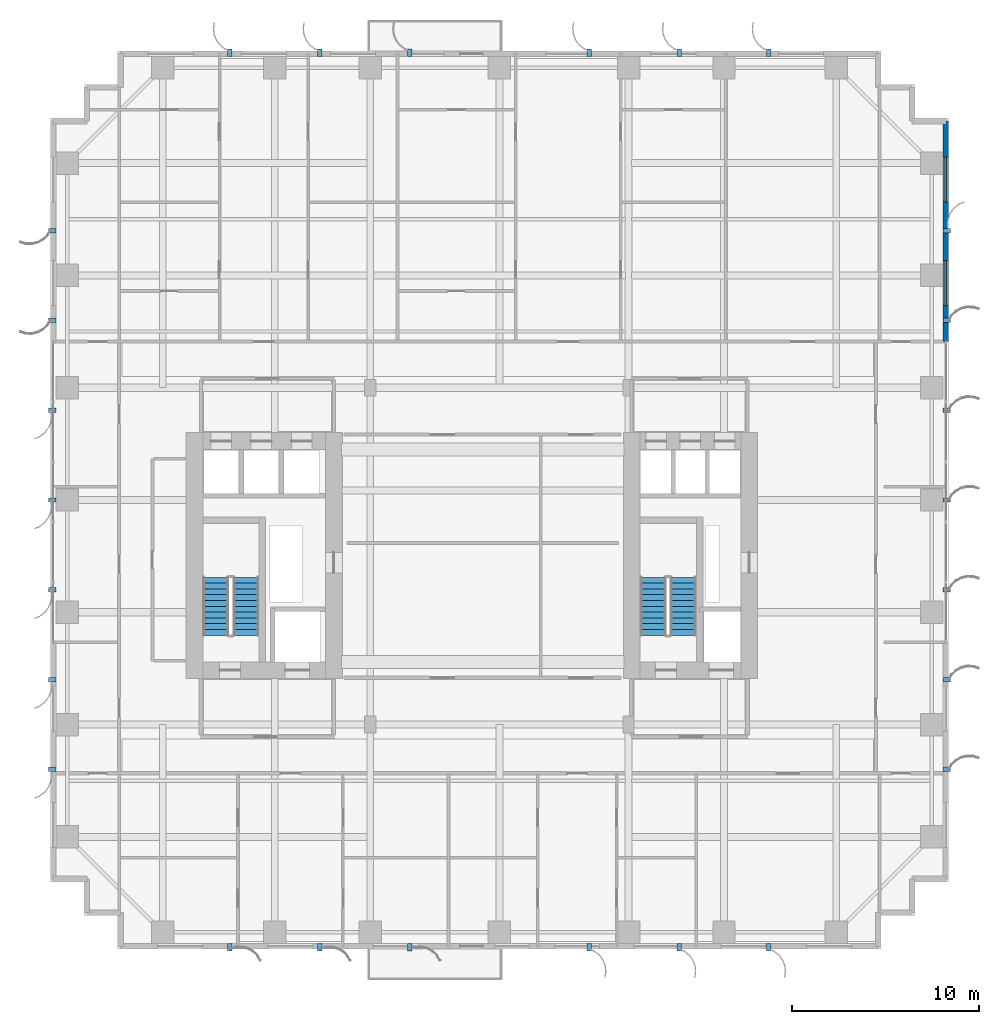
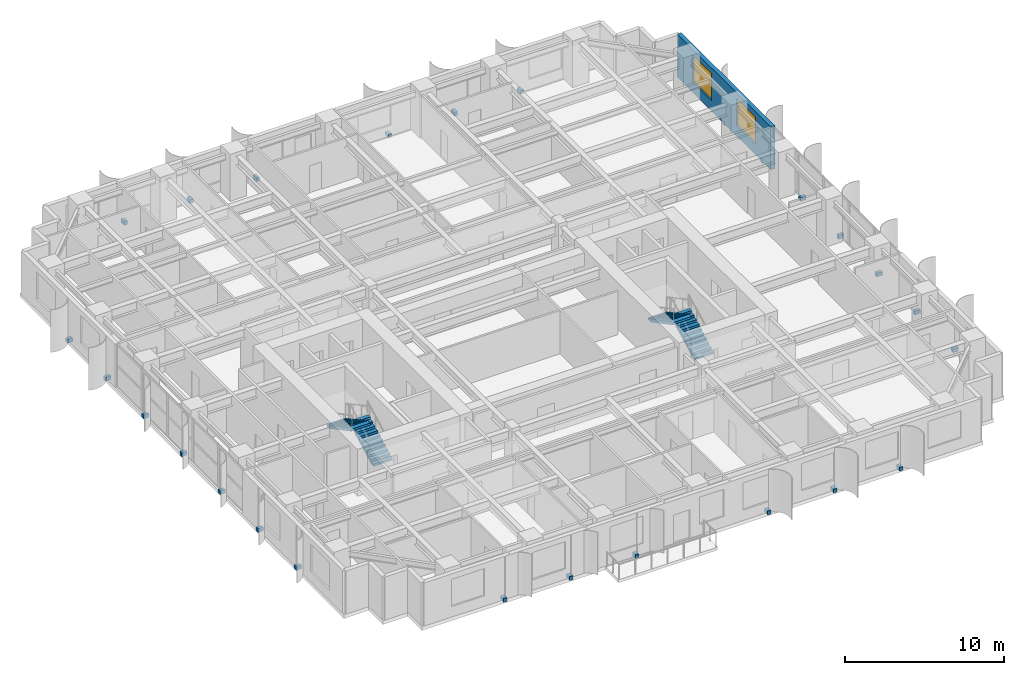
# One storey, part 14 of 18: 26 discrete accessories, 4 stair flights, 2 windows, 1 wall, 2 openings, 2 elements without a shape of their own.
"""IFC4 building model written with IfcOpenShell, lengths in metres."""

from ifc_helpers import new_model, si_unit, direction, frame, frame_2d, origin, origin_2d, place, context, subcontext, project, spatial, polyline, rectangle, outline, extrude, source, transform, mapped, material, layer, layer_set, type_object, element, fill, aggregate, save


model = new_model("IFC4")

# Units and contexts
model_context = context("Model", 3, precision=1e-05, world=origin(), true_north=direction((0.0, 1.0)))
body_context = subcontext(model_context, "Body", "Model", "MODEL_VIEW")
ifc_project = project(units=[si_unit("LENGTHUNIT", "METRE"), si_unit("AREAUNIT", "SQUARE_METRE"), si_unit("VOLUMEUNIT", "CUBIC_METRE"), si_unit("PLANEANGLEUNIT", "RADIAN"), si_unit("MASSUNIT", "GRAM", prefix="KILO")], contexts=[model_context])

# Site, building, storey
site_placement = place(None, origin())
site = spatial("IfcSite", under=ifc_project, at=site_placement, CompositionType="ELEMENT")
building_placement = place(site_placement, origin())
building = spatial("IfcBuilding", under=site, at=building_placement, Name="Khoralis Quay Care Tower", CompositionType="ELEMENT")
storey_placement = place(building_placement, frame((0.0, 0.0, 47.699951171875)))
storey = spatial("IfcBuildingStorey", under=building, at=storey_placement, Name="L12", CompositionType="ELEMENT", Elevation=47.699951171875)

# Wall, openings, windows
ifc_material_1 = material(Name="Precast concrete C45/55", Category="concrete")
ifc_layer = layer(ifc_material_1, 0.300048828125)
ifc_layer_set = layer_set([ifc_layer], Name="Precast concrete C45/55")
wall_type = type_object("IfcWallType", Name="WL-EXT-REF-300", PredefinedType="SOLIDWALL", material=ifc_layer_set)
wall_placement = place(storey_placement, frame((47.85009765625, 32.4599609375, 0.0), z_axis=(0.0, 0.0, 1.0), x_axis=(0.0, 1.0, 0.0)))
wall = element("IfcWall", 1, at=wall_placement, inside=storey, type_object=wall_type, Name="L12 External Facade Wall WL-EXT-L12-P1-E5B", PredefinedType="SOLIDWALL", context=body_context, shape_type="SweptSolid", body=[
    extrude(rectangle(XDim=11.7900390625, YDim=0.300048828125, at=frame_2d((5.89501953125, 0.0))), origin(), (0.0, 0.0, 1.0), 3.320068359375),
])
opening_1_placement = place(wall_placement, frame((1.927490234375, 0.0, 0.800048828125)))
opening_1 = element("IfcOpeningElement", 2, at=opening_1_placement, cuts=wall, Name="Opening W1", PredefinedType="OPENING", context=body_context, shape_type="SweptSolid", body=[
    extrude(rectangle(XDim=2.39990234375, YDim=2.10009765625, at=frame_2d((1.199951171875, 1.050048828125))), frame((0.0, 0.16015625, 0.0), z_axis=(0.0, -1.0, 0.0), x_axis=(1.0, 0.0, 0.0)), (0.0, 0.0, 1.0), 0.320068359375),
])
opening_2_placement = place(wall_placement, frame((7.46240234375, 0.0, 0.800048828125)))
opening_2 = element("IfcOpeningElement", 3, at=opening_2_placement, cuts=wall, Name="Opening W1", PredefinedType="OPENING", context=body_context, shape_type="SweptSolid", body=[
    extrude(rectangle(XDim=2.39990234375, YDim=2.10009765625, at=frame_2d((1.199951171875, 1.050048828125))), frame((0.0, 0.16015625, 0.0), z_axis=(0.0, -1.0, 0.0), x_axis=(1.0, 0.0, 0.0)), (0.0, 0.0, 1.0), 0.320068359375),
])
ifc_material_2 = material(Name="Low-E solar-control double glazing", Category="glass")
window_type = type_object("IfcWindowType", Name="WN-POD-2400X2100", PartitioningType="SINGLE_PANEL", PredefinedType="WINDOW", material=ifc_material_2)
shared_shape_1 = source(origin(), body_context, "Body", "SweptSolid", [
    extrude(rectangle(XDim=2.39990234375, YDim=2.10009765625, at=frame_2d((1.199951171875, 1.050048828125))), frame((0.0, 0.030029296875, 0.0), z_axis=(0.0, -1.0, 0.0), x_axis=(1.0, 0.0, 0.0)), (0.0, 0.0, 1.0), 0.06005859375),
])
window_1_placement = place(opening_1_placement, origin())
window_1 = element("IfcWindow", 4, at=window_1_placement, inside=storey, type_object=window_type, Name="WN-L12-P1-E5B Facade Window 01", OverallHeight=2.10009765625, OverallWidth=2.39990234375, PartitioningType="SINGLE_PANEL", PredefinedType="WINDOW", context=body_context, shape_type="MappedRepresentation", body=[
    mapped(shared_shape_1, transform((0.0, 0.0, 0.0), scale=1.0)),
])
fill(opening_1, window_1)
window_2_placement = place(opening_2_placement, origin())
window_2 = element("IfcWindow", 5, at=window_2_placement, inside=storey, type_object=window_type, Name="WN-L12-P1-E5B Facade Window 02", OverallHeight=2.10009765625, OverallWidth=2.39990234375, PartitioningType="SINGLE_PANEL", PredefinedType="WINDOW", context=body_context, shape_type="MappedRepresentation", body=[
    mapped(shared_shape_1, transform((0.0, 0.0, 0.0), scale=1.0)),
])
fill(opening_2, window_2)

# Stair, stair flights
stair_type = type_object("IfcStairType", Name="ST-TWR-DOGLEG-1400", PredefinedType="HALF_TURN_STAIR", material=ifc_material_1)
stair_1_placement = place(storey_placement, origin())
stair_1 = element("IfcStair", 6, at=stair_1_placement, inside=storey, type_object=stair_type, Name="L12 West Core Exit Stair ST-T1", PredefinedType="HALF_TURN_STAIR")
stair_flight_type = type_object("IfcStairFlightType", Name="SF-TWR-1400", PredefinedType="STRAIGHT", material=ifc_material_1)
shared_shape_2 = source(origin(), body_context, "Body", "SweptSolid", [
    extrude(outline(polyline([(0.0, 0.0), (0.0, 0.16357421875), (0.31005859375, 0.16357421875), (0.31005859375, 0.327392578125), (0.6201171875, 0.327392578125), (0.6201171875, 0.490966796875), (0.929931640625, 0.490966796875), (0.929931640625, 0.654541015625), (1.239990234375, 0.654541015625), (1.239990234375, 0.818115234375), (1.550048828125, 0.818115234375), (1.550048828125, 0.98193359375), (1.860107421875, 0.98193359375), (1.860107421875, 1.1455078125), (2.169921875, 1.1455078125), (2.169921875, 1.30908203125), (2.47998046875, 1.30908203125), (2.47998046875, 1.47265625), (2.7900390625, 1.47265625), (2.7900390625, 1.636474609375), (3.10009765625, 1.636474609375), (3.10009765625, 1.800048828125), (3.10009765625, 1.466796875), (0.321044921875, 0.0), (0.0, 0.0)])), frame((0.0, 0.68994140625, 0.0), z_axis=(0.0, -1.0, 0.0), x_axis=(1.0, 0.0, 0.0)), (0.0, 0.0, 1.0), 1.3798828125),
])
stair_flight_1_placement = place(storey_placement, frame((10.4599609375, 16.77001953125, 0.0), z_axis=(0.0, 0.0, 1.0), x_axis=(0.0, 1.0, 0.0)))
stair_flight_1 = element("IfcStairFlight", 7, at=stair_flight_1_placement, type_object=stair_flight_type, Name="ST-T1 flight 1", NumberOfRisers=11, NumberOfTreads=10, PredefinedType="STRAIGHT", RiserHeight=0.163636364, TreadLength=0.31, context=body_context, shape_type="MappedRepresentation", body=[
    mapped(shared_shape_2, transform((0.0, 0.0, 0.0), scale=1.0)),
])
stair_flight_2_placement = place(storey_placement, frame((8.840087890625, 19.8701171875, 1.800048828125), z_axis=(0.0, 0.0, 1.0), x_axis=(0.0, -1.0, 0.0)))
stair_flight_2 = element("IfcStairFlight", 8, at=stair_flight_2_placement, type_object=stair_flight_type, Name="ST-T1 flight 2", NumberOfRisers=11, NumberOfTreads=10, PredefinedType="STRAIGHT", RiserHeight=0.163636364, TreadLength=0.31, context=body_context, shape_type="MappedRepresentation", body=[
    mapped(shared_shape_2, transform((0.0, 0.0, 0.0), scale=1.0)),
])
aggregate(stair_1, [stair_flight_1, stair_flight_2])

stair_2_placement = place(storey_placement, origin())
stair_2 = element("IfcStair", 9, at=stair_2_placement, inside=storey, type_object=stair_type, Name="L12 East Core Exit Stair ST-T2", PredefinedType="HALF_TURN_STAIR")
stair_flight_3_placement = place(storey_placement, frame((33.830078125, 16.77001953125, 0.0), z_axis=(0.0, 0.0, 1.0), x_axis=(0.0, 1.0, 0.0)))
stair_flight_3 = element("IfcStairFlight", 10, at=stair_flight_3_placement, type_object=stair_flight_type, Name="ST-T2 flight 1", NumberOfRisers=11, NumberOfTreads=10, PredefinedType="STRAIGHT", RiserHeight=0.163636364, TreadLength=0.31, context=body_context, shape_type="MappedRepresentation", body=[
    mapped(shared_shape_2, transform((0.0, 0.0, 0.0), scale=1.0)),
])
stair_flight_4_placement = place(storey_placement, frame((32.2099609375, 19.8701171875, 1.800048828125), z_axis=(0.0, 0.0, 1.0), x_axis=(0.0, -1.0, 0.0)))
stair_flight_4 = element("IfcStairFlight", 11, at=stair_flight_4_placement, type_object=stair_flight_type, Name="ST-T2 flight 2", NumberOfRisers=11, NumberOfTreads=10, PredefinedType="STRAIGHT", RiserHeight=0.163636364, TreadLength=0.31, context=body_context, shape_type="MappedRepresentation", body=[
    mapped(shared_shape_2, transform((0.0, 0.0, 0.0), scale=1.0)),
])
aggregate(stair_2, [stair_flight_3, stair_flight_4])

# Discrete accessories
ifc_material_3 = material(Name="Brushed stainless steel", Category="steel")
discrete_accessory_type = type_object("IfcDiscreteAccessoryType", Name="ACC-FIN-BRACKET", PredefinedType="BRACKET", material=ifc_material_3)
shared_shape_3 = source(origin(), body_context, "Body", "SweptSolid", [
    extrude(rectangle(XDim=0.39990234375, YDim=0.239990234375, at=origin_2d()), origin(), (0.0, 0.0, 1.0), 0.280029296875),
])
for number, where, z_axis, x_axis, name in (
    (12, (9.60009765625, 0.110107421875, -0.1201171875), (0.0, 0.0, 1.0), (0.0, -1.0, 0.0), "L12 Solar Fin Bracket P1E0-01"),
    (13, (14.39990234375, 0.110107421875, -0.1201171875), (0.0, 0.0, 1.0), (0.0, -1.0, 0.0), "L12 Solar Fin Bracket P1E0-02"),
    (14, (19.199951171875, 0.110107421875, -0.1201171875), (0.0, 0.0, 1.0), (0.0, -1.0, 0.0), "L12 Solar Fin Bracket P1E0-03"),
    (15, (28.800048828125, 0.110107421875, -0.1201171875), (0.0, 0.0, 1.0), (0.0, -1.0, 0.0), "L12 Solar Fin Bracket P1E0-05"),
    (16, (33.60009765625, 0.110107421875, -0.1201171875), (0.0, 0.0, 1.0), (0.0, -1.0, 0.0), "L12 Solar Fin Bracket P1E0-06"),
    (17, (38.39990234375, 0.110107421875, -0.1201171875), (0.0, 0.0, 1.0), (0.0, -1.0, 0.0), "L12 Solar Fin Bracket P1E0-07"),
    (18, (47.889892578125, 9.60009765625, -0.1201171875), (0.0, 0.0, 1.0), (1.0, 0.0, 0.0), "L12 Solar Fin Bracket P1E5-01"),
    (19, (47.889892578125, 14.39990234375, -0.1201171875), (0.0, 0.0, 1.0), (1.0, 0.0, 0.0), "L12 Solar Fin Bracket P1E5-02"),
    (20, (47.889892578125, 19.199951171875, -0.1201171875), (0.0, 0.0, 1.0), (1.0, 0.0, 0.0), "L12 Solar Fin Bracket P1E5-03"),
    (21, (47.889892578125, 24.0, -0.1201171875), (0.0, 0.0, 1.0), (1.0, 0.0, 0.0), "L12 Solar Fin Bracket P1E5-04"),
    (22, (47.889892578125, 28.800048828125, -0.1201171875), (0.0, 0.0, 1.0), (1.0, 0.0, 0.0), "L12 Solar Fin Bracket P1E5-05"),
    (23, (47.889892578125, 33.60009765625, -0.1201171875), (0.0, 0.0, 1.0), (1.0, 0.0, 0.0), "L12 Solar Fin Bracket P1E5-06"),
    (24, (47.889892578125, 38.39990234375, -0.1201171875), (0.0, 0.0, 1.0), (1.0, 0.0, 0.0), "L12 Solar Fin Bracket P1E5-07"),
    (25, (38.39990234375, 47.889892578125, -0.1201171875), (0.0, 0.0, 1.0), (0.0, 1.0, 0.0), "L12 Solar Fin Bracket P1E10-01"),
    (26, (33.60009765625, 47.889892578125, -0.1201171875), (0.0, 0.0, 1.0), (0.0, 1.0, 0.0), "L12 Solar Fin Bracket P1E10-02"),
    (27, (28.800048828125, 47.889892578125, -0.1201171875), (0.0, 0.0, 1.0), (0.0, 1.0, 0.0), "L12 Solar Fin Bracket P1E10-03"),
    (28, (19.199951171875, 47.889892578125, -0.1201171875), (0.0, 0.0, 1.0), (0.0, 1.0, 0.0), "L12 Solar Fin Bracket P1E10-05"),
    (29, (14.39990234375, 47.889892578125, -0.1201171875), (0.0, 0.0, 1.0), (0.0, 1.0, 0.0), "L12 Solar Fin Bracket P1E10-06"),
    (30, (9.60009765625, 47.889892578125, -0.1201171875), (0.0, 0.0, 1.0), (0.0, 1.0, 0.0), "L12 Solar Fin Bracket P1E10-07"),
    (31, (0.110107421875, 38.39990234375, -0.1201171875), (0.0, 0.0, 1.0), (-1.0, 0.0, 0.0), "L12 Solar Fin Bracket P1E15-01"),
    (32, (0.110107421875, 33.60009765625, -0.1201171875), (0.0, 0.0, 1.0), (-1.0, 0.0, 0.0), "L12 Solar Fin Bracket P1E15-02"),
    (33, (0.110107421875, 28.800048828125, -0.1201171875), (0.0, 0.0, 1.0), (-1.0, 0.0, 0.0), "L12 Solar Fin Bracket P1E15-03"),
    (34, (0.110107421875, 24.0, -0.1201171875), (0.0, 0.0, 1.0), (-1.0, 0.0, 0.0), "L12 Solar Fin Bracket P1E15-04"),
    (35, (0.110107421875, 19.199951171875, -0.1201171875), (0.0, 0.0, 1.0), (-1.0, 0.0, 0.0), "L12 Solar Fin Bracket P1E15-05"),
    (36, (0.110107421875, 14.39990234375, -0.1201171875), (0.0, 0.0, 1.0), (-1.0, 0.0, 0.0), "L12 Solar Fin Bracket P1E15-06"),
    (37, (0.110107421875, 9.60009765625, -0.1201171875), (0.0, 0.0, 1.0), (-1.0, 0.0, 0.0), "L12 Solar Fin Bracket P1E15-07"),
):
    element("IfcDiscreteAccessory", number, at=place(storey_placement, frame(where, z_axis=z_axis, x_axis=x_axis)), inside=storey, type_object=discrete_accessory_type, Name=name, PredefinedType="BRACKET", context=body_context, shape_type="MappedRepresentation", body=[
        mapped(shared_shape_3, transform((0.0, 0.0, 0.0), scale=1.0)),
    ])

save(model, "model.ifc")
